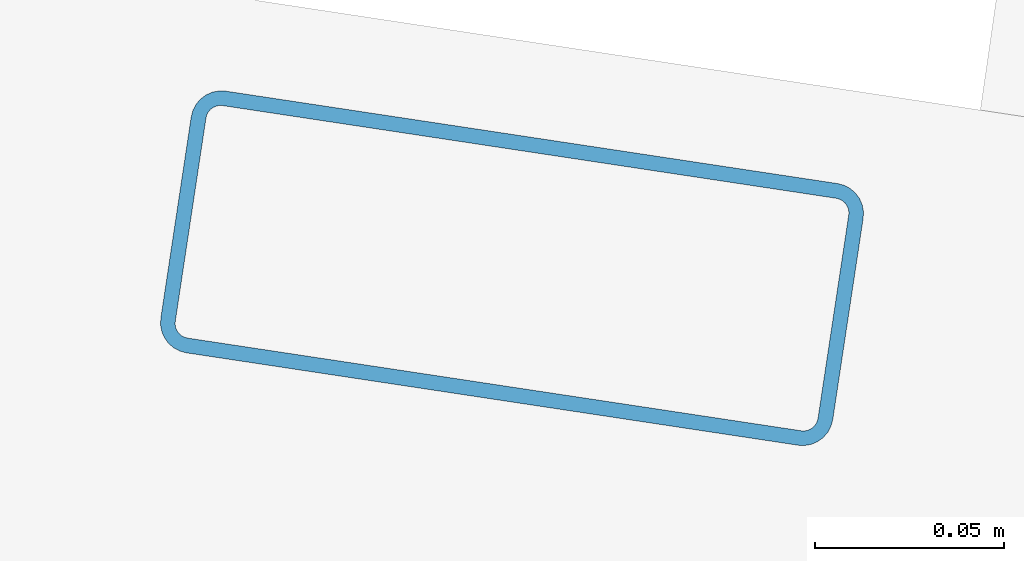
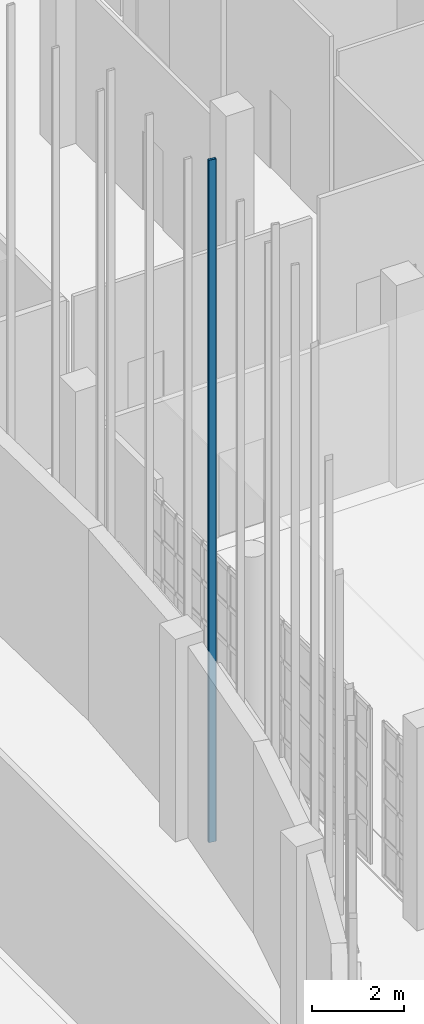
# One storey, part 227 of 372: 1 member.
"""IFC4 building model written with IfcOpenShell, lengths in metres."""

from ifc_helpers import new_model, si_unit, direction, frame, origin, origin_2d, place, context, subcontext, project, spatial, hollow_rectangle, extrude, material, material_profile, profile_set, type_object, element, save


model = new_model("IFC4")

# Units and contexts
model_context = context("Model", 3, precision=1e-05, world=origin(), true_north=direction((0.0, 1.0)))
body_context = subcontext(model_context, "Body", "Model", "MODEL_VIEW")
ifc_project = project(units=[si_unit("LENGTHUNIT", "METRE"), si_unit("AREAUNIT", "SQUARE_METRE"), si_unit("VOLUMEUNIT", "CUBIC_METRE"), si_unit("PLANEANGLEUNIT", "RADIAN"), si_unit("MASSUNIT", "GRAM", prefix="KILO")], contexts=[model_context])

# Site, building, storey
site_placement = place(None, origin())
site = spatial("IfcSite", under=ifc_project, at=site_placement, CompositionType="ELEMENT")
building_placement = place(site_placement, origin())
building = spatial("IfcBuilding", under=site, at=building_placement, Name="Kaelora Sail Theatre", CompositionType="ELEMENT")
storey_placement = place(building_placement, origin())
storey = spatial("IfcBuildingStorey", under=building, at=storey_placement, Name="L00", CompositionType="ELEMENT", Elevation=0.0)

# Member
ifc_material = material(Name="Anodised aluminium 6063-T6", Category="aluminium")
ifc_material_profile = material_profile(ifc_material, hollow_rectangle(XDim=0.070068359375, YDim=0.179931640625, WallThickness=0.00390625, InnerFilletRadius=0.00390625, OuterFilletRadius=0.008056640625, at=origin_2d()), Name="ALU-MULL 70x180x4")
ifc_profile_set = profile_set([ifc_material_profile], Name="Anodised aluminium 6063-T6")
member_type = type_object("IfcMemberType", Name="ARC-MEM-PST-160", PredefinedType="POST", material=ifc_profile_set)
member_placement = place(storey_placement, frame((104.340087890625, 51.04443359375, 0.0), z_axis=(0.0, 0.0, 1.0), x_axis=(-0.149362770624, -0.988782464828, 0.0)))
element("IfcMember", 1, at=member_placement, inside=storey, type_object=member_type, Name="Studio Theatre Sail Drum solar louvre vertical support post C3-1", PredefinedType="POST", context=body_context, shape_type="SweptSolid", body=[
    extrude(hollow_rectangle(XDim=0.070068359375, YDim=0.179931640625, WallThickness=0.00390625, InnerFilletRadius=0.00390625, OuterFilletRadius=0.008056640625, at=origin_2d()), origin(), (0.0, 0.0, 1.0), 18.1962890625),
])

save(model, "model.ifc")
